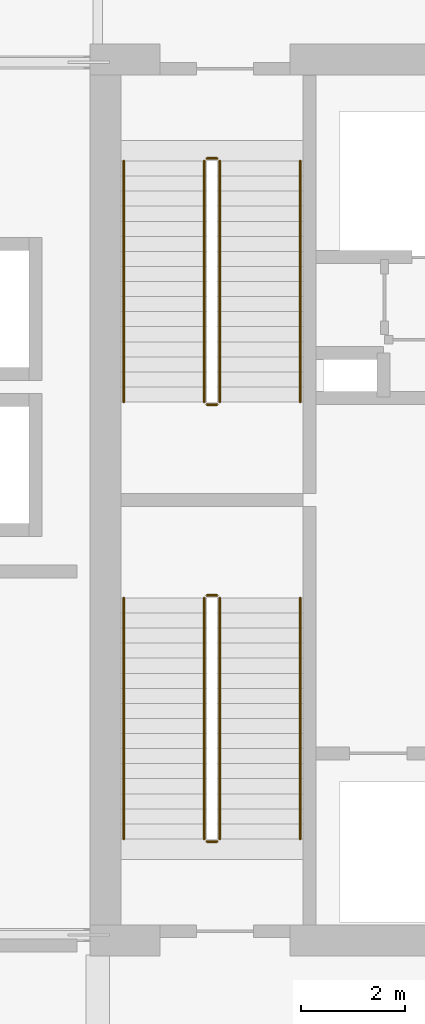
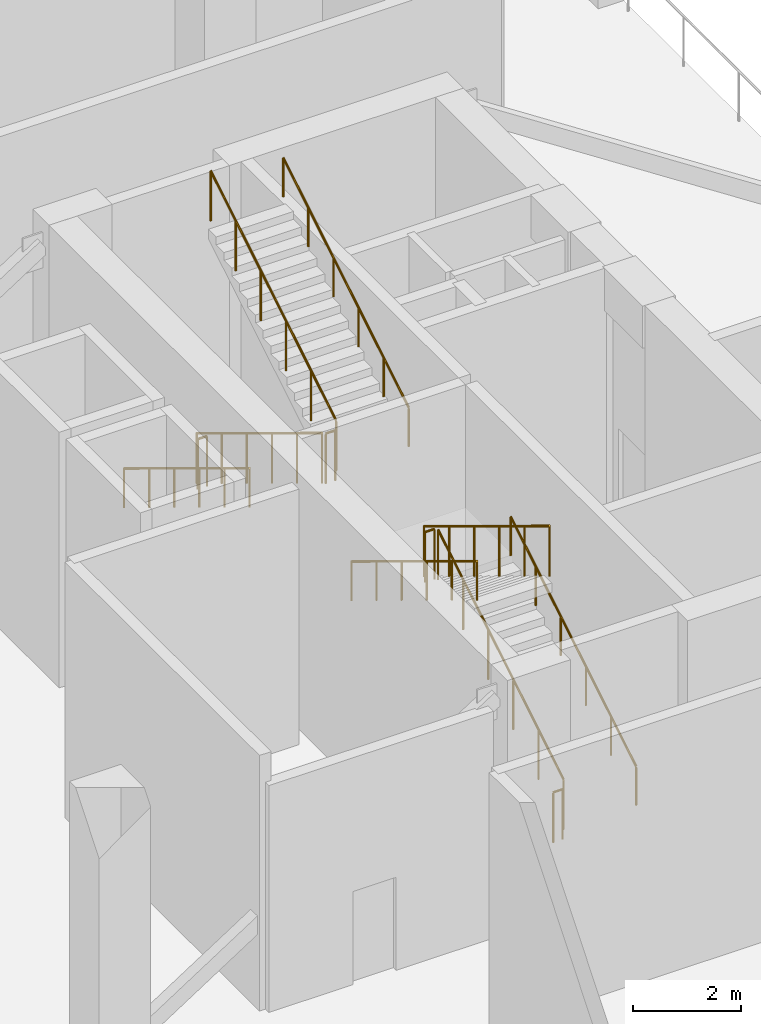
# One storey, part 17 of 18: 12 railings.
"""IFC4 building model written with IfcOpenShell, lengths in metres."""

from ifc_helpers import new_model, si_unit, direction, frame, origin, origin_2d, place, context, subcontext, project, spatial, circle, extrude, material, type_object, element, save


model = new_model("IFC4")

# Units and contexts
model_context = context("Model", 3, precision=1e-05, world=origin(), true_north=direction((0.0, 1.0)))
body_context = subcontext(model_context, "Body", "Model", "MODEL_VIEW")
ifc_project = project(units=[si_unit("LENGTHUNIT", "METRE"), si_unit("AREAUNIT", "SQUARE_METRE"), si_unit("VOLUMEUNIT", "CUBIC_METRE"), si_unit("PLANEANGLEUNIT", "RADIAN"), si_unit("MASSUNIT", "GRAM", prefix="KILO")], contexts=[model_context])

# Site, building, storey
site_placement = place(None, origin())
site = spatial("IfcSite", under=ifc_project, at=site_placement, CompositionType="ELEMENT")
building_placement = place(site_placement, origin())
building = spatial("IfcBuilding", under=site, at=building_placement, Name="Koriwani Terraces Tower", CompositionType="ELEMENT")
storey_placement = place(building_placement, frame((0.0, 0.0, 228.199951171875)))
storey = spatial("IfcBuildingStorey", under=building, at=storey_placement, Name="L56", CompositionType="ELEMENT", Elevation=228.199951171875)

# Railings
ifc_material = material(Name="Steel ASTM A572 Grade 50", Category="steel")
railing_type_1 = type_object("IfcRailingType", Name="GUARD_STAIR_WELL_1120", PredefinedType="GUARDRAIL", material=ifc_material)
railing_1_placement = place(storey_placement, frame((19.14990234375, 43.85009765625, 0.176513671875)))
element("IfcRailing", 1, at=railing_1_placement, inside=storey, type_object=railing_type_1, Name="L56 ST-W1 stair guard 1", PredefinedType="GUARDRAIL", context=body_context, shape_type="SweptSolid", body=[
    extrude(circle(Radius=0.02392578125, at=origin_2d()), frame((0.0, 0.0, 1.1259765625), z_axis=(0.0, 0.854263648073, 0.51983999421), x_axis=(-1.0, 0.0, 0.0)), (0.0, 0.0, 1.0), 5.431396484375),
    extrude(circle(Radius=0.02099609375, at=origin_2d()), origin(), (0.0, 0.0, 1.0), 1.101806640625),
    extrude(circle(Radius=0.02099609375, at=origin_2d()), frame((0.0, 0.927978515625, 0.564697265625)), (0.0, 0.0, 1.0), 1.101806640625),
    extrude(circle(Radius=0.02099609375, at=origin_2d()), frame((0.0, 1.85595703125, 1.12939453125)), (0.0, 0.0, 1.0), 1.101806640625),
    extrude(circle(Radius=0.02099609375, at=origin_2d()), frame((0.0, 2.783935546875, 1.694091796875)), (0.0, 0.0, 1.0), 1.101806640625),
    extrude(circle(Radius=0.02099609375, at=origin_2d()), frame((0.0, 3.7119140625, 2.2587890625)), (0.0, 0.0, 1.0), 1.101806640625),
    extrude(circle(Radius=0.02099609375, at=origin_2d()), frame((0.0, 4.639892578125, 2.823486328125)), (0.0, 0.0, 1.0), 1.101806640625),
])
railing_2_placement = place(storey_placement, frame((19.10009765625, 48.5400390625, 3.0)))
element("IfcRailing", 2, at=railing_2_placement, inside=storey, type_object=railing_type_1, Name="L56 ST-W1 stair guard 2", PredefinedType="GUARDRAIL", context=body_context, shape_type="SweptSolid", body=[
    extrude(circle(Radius=0.02392578125, at=origin_2d()), frame((0.0, 0.0, 1.1259765625), z_axis=(-1.0, 0.0, 0.0), x_axis=(0.0, -1.0, 0.0)), (0.0, 0.0, 1.0), 0.2001953125),
    extrude(circle(Radius=0.02099609375, at=origin_2d()), origin(), (0.0, 0.0, 1.0), 1.101806640625),
    extrude(circle(Radius=0.02099609375, at=origin_2d()), frame((-0.2001953125, 0.0, 0.0)), (0.0, 0.0, 1.0), 1.101806640625),
])
railing_3_placement = place(storey_placement, frame((18.85009765625, 48.489990234375, 3.176513671875)))
element("IfcRailing", 3, at=railing_3_placement, inside=storey, type_object=railing_type_1, Name="L56 ST-W1 stair guard 3", PredefinedType="GUARDRAIL", context=body_context, shape_type="SweptSolid", body=[
    extrude(circle(Radius=0.02392578125, at=origin_2d()), frame((0.0, 0.0, 1.1259765625), z_axis=(0.0, -0.854263648073, 0.51983999421), x_axis=(1.0, 0.0, 0.0)), (0.0, 0.0, 1.0), 5.431396484375),
    extrude(circle(Radius=0.02099609375, at=origin_2d()), origin(), (0.0, 0.0, 1.0), 1.101806640625),
    extrude(circle(Radius=0.02099609375, at=origin_2d()), frame((0.0, -0.927978515625, 0.564697265625)), (0.0, 0.0, 1.0), 1.101806640625),
    extrude(circle(Radius=0.02099609375, at=origin_2d()), frame((0.0, -1.85595703125, 1.12939453125)), (0.0, 0.0, 1.0), 1.101806640625),
    extrude(circle(Radius=0.02099609375, at=origin_2d()), frame((0.0, -2.783935546875, 1.694091796875)), (0.0, 0.0, 1.0), 1.101806640625),
    extrude(circle(Radius=0.02099609375, at=origin_2d()), frame((0.0, -3.7119140625, 2.2587890625)), (0.0, 0.0, 1.0), 1.101806640625),
    extrude(circle(Radius=0.02099609375, at=origin_2d()), frame((0.0, -4.639892578125, 2.823486328125)), (0.0, 0.0, 1.0), 1.101806640625),
])
railing_4_placement = place(storey_placement, frame((19.10009765625, 43.800048828125, 0.0)))
element("IfcRailing", 4, at=railing_4_placement, inside=storey, type_object=railing_type_1, Name="L56 ST-W1 stair guard 4", PredefinedType="GUARDRAIL", context=body_context, shape_type="SweptSolid", body=[
    extrude(circle(Radius=0.02392578125, at=origin_2d()), frame((0.0, 0.0, 1.1259765625), z_axis=(-1.0, 0.0, 0.0), x_axis=(0.0, -1.0, 0.0)), (0.0, 0.0, 1.0), 0.2001953125),
    extrude(circle(Radius=0.02099609375, at=origin_2d()), origin(), (0.0, 0.0, 1.0), 1.101806640625),
    extrude(circle(Radius=0.02099609375, at=origin_2d()), frame((-0.2001953125, 0.0, 0.0)), (0.0, 0.0, 1.0), 1.101806640625),
])
railing_5_placement = place(storey_placement, frame((18.85009765625, 56.89990234375, 0.176513671875)))
element("IfcRailing", 5, at=railing_5_placement, inside=storey, type_object=railing_type_1, Name="L56 ST-W2 stair guard 1", PredefinedType="GUARDRAIL", context=body_context, shape_type="SweptSolid", body=[
    extrude(circle(Radius=0.02392578125, at=origin_2d()), frame((0.0, 0.0, 1.1259765625), z_axis=(0.0, -0.854263648073, 0.51983999421), x_axis=(1.0, 0.0, 0.0)), (0.0, 0.0, 1.0), 5.431396484375),
    extrude(circle(Radius=0.02099609375, at=origin_2d()), origin(), (0.0, 0.0, 1.0), 1.101806640625),
    extrude(circle(Radius=0.02099609375, at=origin_2d()), frame((0.0, -0.927978515625, 0.564697265625)), (0.0, 0.0, 1.0), 1.101806640625),
    extrude(circle(Radius=0.02099609375, at=origin_2d()), frame((0.0, -1.85595703125, 1.12939453125)), (0.0, 0.0, 1.0), 1.101806640625),
    extrude(circle(Radius=0.02099609375, at=origin_2d()), frame((0.0, -2.783935546875, 1.694091796875)), (0.0, 0.0, 1.0), 1.101806640625),
    extrude(circle(Radius=0.02099609375, at=origin_2d()), frame((0.0, -3.7119140625, 2.2587890625)), (0.0, 0.0, 1.0), 1.101806640625),
    extrude(circle(Radius=0.02099609375, at=origin_2d()), frame((0.0, -4.639892578125, 2.823486328125)), (0.0, 0.0, 1.0), 1.101806640625),
])
railing_6_placement = place(storey_placement, frame((18.89990234375, 52.2099609375, 3.0)))
element("IfcRailing", 6, at=railing_6_placement, inside=storey, type_object=railing_type_1, Name="L56 ST-W2 stair guard 2", PredefinedType="GUARDRAIL", context=body_context, shape_type="SweptSolid", body=[
    extrude(circle(Radius=0.02392578125, at=origin_2d()), frame((0.0, 0.0, 1.1259765625), z_axis=(1.0, 0.0, 0.0), x_axis=(0.0, 1.0, 0.0)), (0.0, 0.0, 1.0), 0.2001953125),
    extrude(circle(Radius=0.02099609375, at=origin_2d()), origin(), (0.0, 0.0, 1.0), 1.101806640625),
    extrude(circle(Radius=0.02099609375, at=origin_2d()), frame((0.2001953125, 0.0, 0.0)), (0.0, 0.0, 1.0), 1.101806640625),
])
railing_7_placement = place(storey_placement, frame((19.14990234375, 52.260009765625, 3.176513671875)))
element("IfcRailing", 7, at=railing_7_placement, inside=storey, type_object=railing_type_1, Name="L56 ST-W2 stair guard 3", PredefinedType="GUARDRAIL", context=body_context, shape_type="SweptSolid", body=[
    extrude(circle(Radius=0.02392578125, at=origin_2d()), frame((0.0, 0.0, 1.1259765625), z_axis=(0.0, 0.854263648073, 0.51983999421), x_axis=(-1.0, 0.0, 0.0)), (0.0, 0.0, 1.0), 5.431396484375),
    extrude(circle(Radius=0.02099609375, at=origin_2d()), origin(), (0.0, 0.0, 1.0), 1.101806640625),
    extrude(circle(Radius=0.02099609375, at=origin_2d()), frame((0.0, 0.927978515625, 0.564697265625)), (0.0, 0.0, 1.0), 1.101806640625),
    extrude(circle(Radius=0.02099609375, at=origin_2d()), frame((0.0, 1.85595703125, 1.12939453125)), (0.0, 0.0, 1.0), 1.101806640625),
    extrude(circle(Radius=0.02099609375, at=origin_2d()), frame((0.0, 2.783935546875, 1.694091796875)), (0.0, 0.0, 1.0), 1.101806640625),
    extrude(circle(Radius=0.02099609375, at=origin_2d()), frame((0.0, 3.7119140625, 2.2587890625)), (0.0, 0.0, 1.0), 1.101806640625),
    extrude(circle(Radius=0.02099609375, at=origin_2d()), frame((0.0, 4.639892578125, 2.823486328125)), (0.0, 0.0, 1.0), 1.101806640625),
])
railing_8_placement = place(storey_placement, frame((18.89990234375, 56.949951171875, 0.0)))
element("IfcRailing", 8, at=railing_8_placement, inside=storey, type_object=railing_type_1, Name="L56 ST-W2 stair guard 4", PredefinedType="GUARDRAIL", context=body_context, shape_type="SweptSolid", body=[
    extrude(circle(Radius=0.02392578125, at=origin_2d()), frame((0.0, 0.0, 1.1259765625), z_axis=(1.0, 0.0, 0.0), x_axis=(0.0, 1.0, 0.0)), (0.0, 0.0, 1.0), 0.2001953125),
    extrude(circle(Radius=0.02099609375, at=origin_2d()), origin(), (0.0, 0.0, 1.0), 1.101806640625),
    extrude(circle(Radius=0.02099609375, at=origin_2d()), frame((0.2001953125, 0.0, 0.0)), (0.0, 0.0, 1.0), 1.101806640625),
])
railing_type_2 = type_object("IfcRailingType", Name="HANDRAIL_STAIR_920", PredefinedType="HANDRAIL", material=ifc_material)
railing_9_placement = place(storey_placement, frame((20.699951171875, 43.85009765625, 0.176513671875)))
element("IfcRailing", 9, at=railing_9_placement, inside=storey, type_object=railing_type_2, Name="L56 ST-W1 stair handrail 1", PredefinedType="HANDRAIL", context=body_context, shape_type="SweptSolid", body=[
    extrude(circle(Radius=0.02392578125, at=origin_2d()), frame((0.0, 0.0, 0.8759765625), z_axis=(0.0, 0.854263648073, 0.51983999421), x_axis=(-1.0, 0.0, 0.0)), (0.0, 0.0, 1.0), 5.431396484375),
    extrude(circle(Radius=0.02099609375, at=origin_2d()), origin(), (0.0, 0.0, 1.0), 0.851806640625),
    extrude(circle(Radius=0.02099609375, at=origin_2d()), frame((0.0, 0.927978515625, 0.564697265625)), (0.0, 0.0, 1.0), 0.851806640625),
    extrude(circle(Radius=0.02099609375, at=origin_2d()), frame((0.0, 1.85595703125, 1.12939453125)), (0.0, 0.0, 1.0), 0.851806640625),
    extrude(circle(Radius=0.02099609375, at=origin_2d()), frame((0.0, 2.783935546875, 1.694091796875)), (0.0, 0.0, 1.0), 0.851806640625),
    extrude(circle(Radius=0.02099609375, at=origin_2d()), frame((0.0, 3.7119140625, 2.2587890625)), (0.0, 0.0, 1.0), 0.851806640625),
    extrude(circle(Radius=0.02099609375, at=origin_2d()), frame((0.0, 4.639892578125, 2.823486328125)), (0.0, 0.0, 1.0), 0.851806640625),
])
for number, where, name in (
    (10, (17.300048828125, 48.489990234375, 3.176513671875), "L56 ST-W1 stair handrail 2"),
    (11, (17.300048828125, 56.89990234375, 0.176513671875), "L56 ST-W2 stair handrail 1"),
):
    element("IfcRailing", number, at=place(storey_placement, frame(where)), inside=storey, type_object=railing_type_2, Name=name, PredefinedType="HANDRAIL", context=body_context, shape_type="SweptSolid", body=[
        extrude(circle(Radius=0.02392578125, at=origin_2d()), frame((0.0, 0.0, 0.8759765625), z_axis=(0.0, -0.854263648073, 0.51983999421), x_axis=(1.0, 0.0, 0.0)), (0.0, 0.0, 1.0), 5.431396484375),
        extrude(circle(Radius=0.02099609375, at=origin_2d()), origin(), (0.0, 0.0, 1.0), 0.851806640625),
        extrude(circle(Radius=0.02099609375, at=origin_2d()), frame((0.0, -0.927978515625, 0.564697265625)), (0.0, 0.0, 1.0), 0.851806640625),
        extrude(circle(Radius=0.02099609375, at=origin_2d()), frame((0.0, -1.85595703125, 1.12939453125)), (0.0, 0.0, 1.0), 0.851806640625),
        extrude(circle(Radius=0.02099609375, at=origin_2d()), frame((0.0, -2.783935546875, 1.694091796875)), (0.0, 0.0, 1.0), 0.851806640625),
        extrude(circle(Radius=0.02099609375, at=origin_2d()), frame((0.0, -3.7119140625, 2.2587890625)), (0.0, 0.0, 1.0), 0.851806640625),
        extrude(circle(Radius=0.02099609375, at=origin_2d()), frame((0.0, -4.639892578125, 2.823486328125)), (0.0, 0.0, 1.0), 0.851806640625),
    ])
railing_10_placement = place(storey_placement, frame((20.699951171875, 52.260009765625, 3.176513671875)))
element("IfcRailing", 12, at=railing_10_placement, inside=storey, type_object=railing_type_2, Name="L56 ST-W2 stair handrail 2", PredefinedType="HANDRAIL", context=body_context, shape_type="SweptSolid", body=[
    extrude(circle(Radius=0.02392578125, at=origin_2d()), frame((0.0, 0.0, 0.8759765625), z_axis=(0.0, 0.854263648073, 0.51983999421), x_axis=(-1.0, 0.0, 0.0)), (0.0, 0.0, 1.0), 5.431396484375),
    extrude(circle(Radius=0.02099609375, at=origin_2d()), origin(), (0.0, 0.0, 1.0), 0.851806640625),
    extrude(circle(Radius=0.02099609375, at=origin_2d()), frame((0.0, 0.927978515625, 0.564697265625)), (0.0, 0.0, 1.0), 0.851806640625),
    extrude(circle(Radius=0.02099609375, at=origin_2d()), frame((0.0, 1.85595703125, 1.12939453125)), (0.0, 0.0, 1.0), 0.851806640625),
    extrude(circle(Radius=0.02099609375, at=origin_2d()), frame((0.0, 2.783935546875, 1.694091796875)), (0.0, 0.0, 1.0), 0.851806640625),
    extrude(circle(Radius=0.02099609375, at=origin_2d()), frame((0.0, 3.7119140625, 2.2587890625)), (0.0, 0.0, 1.0), 0.851806640625),
    extrude(circle(Radius=0.02099609375, at=origin_2d()), frame((0.0, 4.639892578125, 2.823486328125)), (0.0, 0.0, 1.0), 0.851806640625),
])

save(model, "model.ifc")
